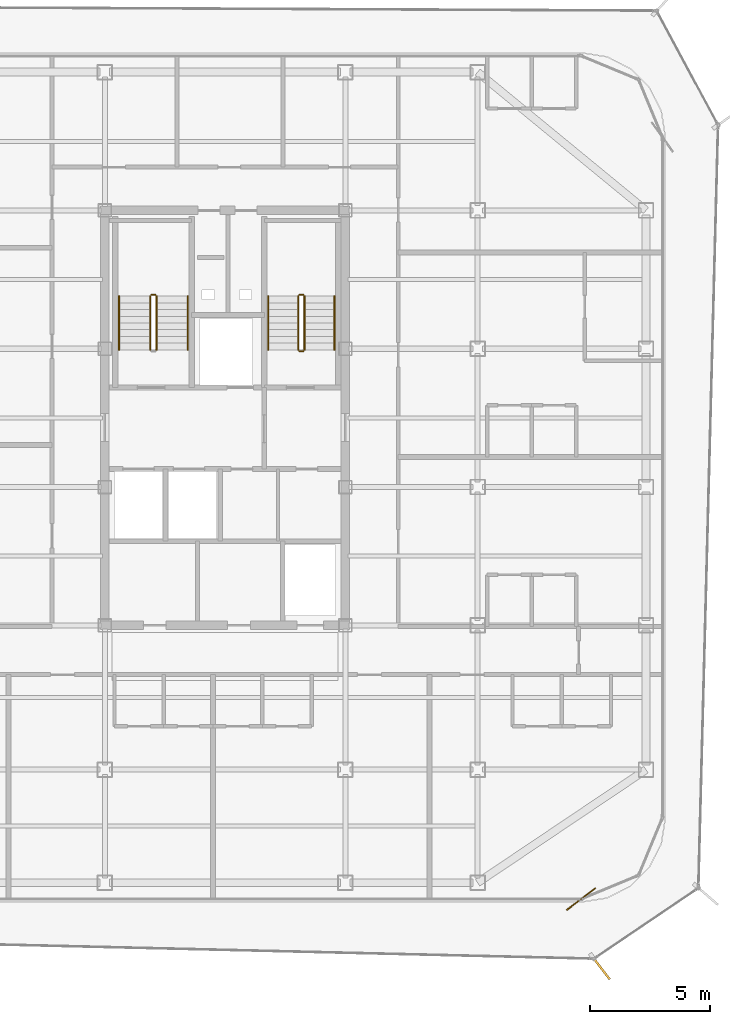
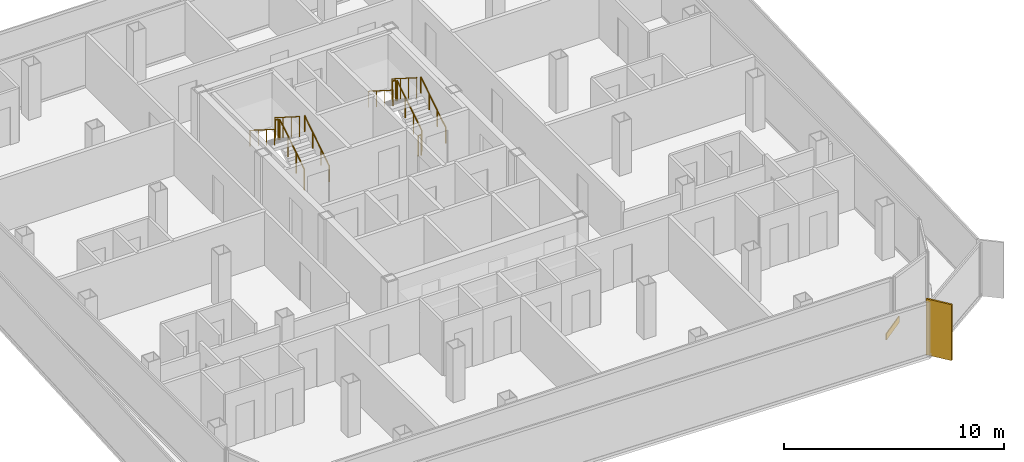
# One storey, part 15 of 16: 11 railings, 1 covering, 1 shading device.
"""IFC4 building model written with IfcOpenShell, lengths in metres."""

from ifc_helpers import new_model, si_unit, direction, frame, origin, origin_2d, place, context, subcontext, project, spatial, rectangle, circle, extrude, source, transform, mapped, material, layer, layer_set, type_object, element, save


model = new_model("IFC4")

# Units and contexts
model_context = context("Model", 3, precision=1e-05, world=origin(), true_north=direction((0.0, 1.0)))
body_context = subcontext(model_context, "Body", "Model", "MODEL_VIEW")
ifc_project = project(units=[si_unit("LENGTHUNIT", "METRE"), si_unit("AREAUNIT", "SQUARE_METRE"), si_unit("VOLUMEUNIT", "CUBIC_METRE"), si_unit("PLANEANGLEUNIT", "RADIAN"), si_unit("MASSUNIT", "GRAM", prefix="KILO")], contexts=[model_context])

# Site, building, storey
site_placement = place(None, origin())
site = spatial("IfcSite", under=ifc_project, at=site_placement, CompositionType="ELEMENT")
building_placement = place(site_placement, origin())
building = spatial("IfcBuilding", under=site, at=building_placement, Name="Kolveth Station Tower", CompositionType="ELEMENT")
storey_placement = place(building_placement, frame((0.0, 0.0, 236.10009765625)))
storey = spatial("IfcBuildingStorey", under=building, at=storey_placement, Name="L67", CompositionType="ELEMENT", Elevation=236.10009765625)

# Railings
ifc_material_1 = material(Name="Painted Steel S355 balustrade", Category="steel")
railing_type_1 = type_object("IfcRailingType", Name="Guard_GR2", PredefinedType="BALUSTRADE", material=ifc_material_1)
railing_1_placement = place(storey_placement, frame((20.64990234375, 22.949951171875, 0.177734375)))
element("IfcRailing", 1, at=railing_1_placement, inside=storey, type_object=railing_type_1, Name="L67 ST1 stair guard 1", PredefinedType="BALUSTRADE", context=body_context, shape_type="SweptSolid", body=[
    extrude(circle(Radius=0.02392578125, at=origin_2d()), frame((0.0, 0.0, 1.1259765625), z_axis=(0.0, 0.8442293374, 0.53598211339), x_axis=(-1.0, 0.0, 0.0)), (0.0, 0.0, 1.0), 2.6533203125),
    extrude(circle(Radius=0.02099609375, at=origin_2d()), origin(), (0.0, 0.0, 1.0), 1.101806640625),
    extrude(circle(Radius=0.02099609375, at=origin_2d()), frame((0.0, 0.74658203125, 0.47412109375)), (0.0, 0.0, 1.0), 1.101806640625),
    extrude(circle(Radius=0.02099609375, at=origin_2d()), frame((0.0, 1.493408203125, 0.947998046875)), (0.0, 0.0, 1.0), 1.101806640625),
    extrude(circle(Radius=0.02099609375, at=origin_2d()), frame((0.0, 2.239990234375, 1.422119140625)), (0.0, 0.0, 1.0), 1.101806640625),
])
railing_2_placement = place(storey_placement, frame((20.60009765625, 25.239990234375, 1.599853515625)))
element("IfcRailing", 2, at=railing_2_placement, inside=storey, type_object=railing_type_1, Name="L67 ST1 stair guard 2", PredefinedType="BALUSTRADE", context=body_context, shape_type="SweptSolid", body=[
    extrude(circle(Radius=0.02392578125, at=origin_2d()), frame((0.0, 0.0, 1.1259765625), z_axis=(-1.0, 0.0, 0.0), x_axis=(0.0, -1.0, 0.0)), (0.0, 0.0, 1.0), 0.16015625),
    extrude(circle(Radius=0.02099609375, at=origin_2d()), origin(), (0.0, 0.0, 1.0), 1.101806640625),
    extrude(circle(Radius=0.02099609375, at=origin_2d()), frame((-0.16015625, 0.0, 0.0)), (0.0, 0.0, 1.0), 1.101806640625),
])
railing_3_placement = place(storey_placement, frame((20.389892578125, 25.18994140625, 1.777587890625)))
element("IfcRailing", 3, at=railing_3_placement, inside=storey, type_object=railing_type_1, Name="L67 ST1 stair guard 3", PredefinedType="BALUSTRADE", context=body_context, shape_type="SweptSolid", body=[
    extrude(circle(Radius=0.02392578125, at=origin_2d()), frame((0.0, 0.0, 1.1259765625), z_axis=(0.0, -0.84418770128, 0.536047689118), x_axis=(1.0, 0.0, 0.0)), (0.0, 0.0, 1.0), 2.6533203125),
    extrude(circle(Radius=0.02099609375, at=origin_2d()), origin(), (0.0, 0.0, 1.0), 1.101806640625),
    extrude(circle(Radius=0.02099609375, at=origin_2d()), frame((0.0, -0.74658203125, 0.47412109375)), (0.0, 0.0, 1.0), 1.101806640625),
    extrude(circle(Radius=0.02099609375, at=origin_2d()), frame((0.0, -1.493408203125, 0.9482421875)), (0.0, 0.0, 1.0), 1.101806640625),
    extrude(circle(Radius=0.02099609375, at=origin_2d()), frame((0.0, -2.239990234375, 1.42236328125)), (0.0, 0.0, 1.0), 1.101806640625),
])
railing_4_placement = place(storey_placement, frame((26.800048828125, 22.949951171875, 0.177734375)))
element("IfcRailing", 4, at=railing_4_placement, inside=storey, type_object=railing_type_1, Name="L67 ST2 stair guard 1", PredefinedType="BALUSTRADE", context=body_context, shape_type="SweptSolid", body=[
    extrude(circle(Radius=0.02392578125, at=origin_2d()), frame((0.0, 0.0, 1.1259765625), z_axis=(0.0, 0.8442293374, 0.53598211339), x_axis=(-1.0, 0.0, 0.0)), (0.0, 0.0, 1.0), 2.6533203125),
    extrude(circle(Radius=0.02099609375, at=origin_2d()), origin(), (0.0, 0.0, 1.0), 1.101806640625),
    extrude(circle(Radius=0.02099609375, at=origin_2d()), frame((0.0, 0.74658203125, 0.47412109375)), (0.0, 0.0, 1.0), 1.101806640625),
    extrude(circle(Radius=0.02099609375, at=origin_2d()), frame((0.0, 1.493408203125, 0.947998046875)), (0.0, 0.0, 1.0), 1.101806640625),
    extrude(circle(Radius=0.02099609375, at=origin_2d()), frame((0.0, 2.239990234375, 1.422119140625)), (0.0, 0.0, 1.0), 1.101806640625),
])
railing_5_placement = place(storey_placement, frame((26.75, 25.239990234375, 1.599853515625)))
element("IfcRailing", 5, at=railing_5_placement, inside=storey, type_object=railing_type_1, Name="L67 ST2 stair guard 2", PredefinedType="BALUSTRADE", context=body_context, shape_type="SweptSolid", body=[
    extrude(circle(Radius=0.02392578125, at=origin_2d()), frame((0.0, 0.0, 1.1259765625), z_axis=(-1.0, 0.0, 0.0), x_axis=(0.0, -1.0, 0.0)), (0.0, 0.0, 1.0), 0.159912109375),
    extrude(circle(Radius=0.02099609375, at=origin_2d()), origin(), (0.0, 0.0, 1.0), 1.101806640625),
    extrude(circle(Radius=0.02099609375, at=origin_2d()), frame((-0.159912109375, 0.0, 0.0)), (0.0, 0.0, 1.0), 1.101806640625),
])
railing_6_placement = place(storey_placement, frame((26.5400390625, 25.18994140625, 1.777587890625)))
element("IfcRailing", 6, at=railing_6_placement, inside=storey, type_object=railing_type_1, Name="L67 ST2 stair guard 3", PredefinedType="BALUSTRADE", context=body_context, shape_type="SweptSolid", body=[
    extrude(circle(Radius=0.02392578125, at=origin_2d()), frame((0.0, 0.0, 1.1259765625), z_axis=(0.0, -0.84418770128, 0.536047689118), x_axis=(1.0, 0.0, 0.0)), (0.0, 0.0, 1.0), 2.6533203125),
    extrude(circle(Radius=0.02099609375, at=origin_2d()), origin(), (0.0, 0.0, 1.0), 1.101806640625),
    extrude(circle(Radius=0.02099609375, at=origin_2d()), frame((0.0, -0.74658203125, 0.47412109375)), (0.0, 0.0, 1.0), 1.101806640625),
    extrude(circle(Radius=0.02099609375, at=origin_2d()), frame((0.0, -1.493408203125, 0.9482421875)), (0.0, 0.0, 1.0), 1.101806640625),
    extrude(circle(Radius=0.02099609375, at=origin_2d()), frame((0.0, -2.239990234375, 1.42236328125)), (0.0, 0.0, 1.0), 1.101806640625),
])
railing_7_placement = place(storey_placement, frame((26.75, 22.89990234375, 0.0)))
element("IfcRailing", 7, at=railing_7_placement, inside=storey, type_object=railing_type_1, Name="L67 ST2 stair guard 4", PredefinedType="BALUSTRADE", context=body_context, shape_type="SweptSolid", body=[
    extrude(circle(Radius=0.02392578125, at=origin_2d()), frame((0.0, 0.0, 1.1259765625), z_axis=(-1.0, 0.0, 0.0), x_axis=(0.0, -1.0, 0.0)), (0.0, 0.0, 1.0), 0.159912109375),
    extrude(circle(Radius=0.02099609375, at=origin_2d()), origin(), (0.0, 0.0, 1.0), 1.101806640625),
    extrude(circle(Radius=0.02099609375, at=origin_2d()), frame((-0.159912109375, 0.0, 0.0)), (0.0, 0.0, 1.0), 1.101806640625),
])
ifc_material_2 = material(Name="Brushed stainless steel", Category="steel")
railing_type_2 = type_object("IfcRailingType", Name="Handrail_HR1", PredefinedType="HANDRAIL", material=ifc_material_2)
railing_8_placement = place(storey_placement, frame((21.949951171875, 22.949951171875, 0.177734375)))
element("IfcRailing", 8, at=railing_8_placement, inside=storey, type_object=railing_type_2, Name="L67 ST1 stair handrail 1", PredefinedType="HANDRAIL", context=body_context, shape_type="SweptSolid", body=[
    extrude(circle(Radius=0.02392578125, at=origin_2d()), frame((0.0, 0.0, 0.8759765625), z_axis=(0.0, 0.8442293374, 0.53598211339), x_axis=(-1.0, 0.0, 0.0)), (0.0, 0.0, 1.0), 2.6533203125),
    extrude(circle(Radius=0.02099609375, at=origin_2d()), origin(), (0.0, 0.0, 1.0), 0.851806640625),
    extrude(circle(Radius=0.02099609375, at=origin_2d()), frame((0.0, 0.74658203125, 0.47412109375)), (0.0, 0.0, 1.0), 0.851806640625),
    extrude(circle(Radius=0.02099609375, at=origin_2d()), frame((0.0, 1.493408203125, 0.947998046875)), (0.0, 0.0, 1.0), 0.851806640625),
    extrude(circle(Radius=0.02099609375, at=origin_2d()), frame((0.0, 2.239990234375, 1.422119140625)), (0.0, 0.0, 1.0), 0.851806640625),
])
railing_9_placement = place(storey_placement, frame((19.090087890625, 25.18994140625, 1.777587890625)))
element("IfcRailing", 9, at=railing_9_placement, inside=storey, type_object=railing_type_2, Name="L67 ST1 stair handrail 2", PredefinedType="HANDRAIL", context=body_context, shape_type="SweptSolid", body=[
    extrude(circle(Radius=0.02392578125, at=origin_2d()), frame((0.0, 0.0, 0.8759765625), z_axis=(0.0, -0.84418770128, 0.536047689118), x_axis=(1.0, 0.0, 0.0)), (0.0, 0.0, 1.0), 2.6533203125),
    extrude(circle(Radius=0.02099609375, at=origin_2d()), origin(), (0.0, 0.0, 1.0), 0.851806640625),
    extrude(circle(Radius=0.02099609375, at=origin_2d()), frame((0.0, -0.74658203125, 0.47412109375)), (0.0, 0.0, 1.0), 0.851806640625),
    extrude(circle(Radius=0.02099609375, at=origin_2d()), frame((0.0, -1.493408203125, 0.9482421875)), (0.0, 0.0, 1.0), 0.851806640625),
    extrude(circle(Radius=0.02099609375, at=origin_2d()), frame((0.0, -2.239990234375, 1.42236328125)), (0.0, 0.0, 1.0), 0.851806640625),
])
railing_10_placement = place(storey_placement, frame((28.050048828125, 22.949951171875, 0.177734375)))
element("IfcRailing", 10, at=railing_10_placement, inside=storey, type_object=railing_type_2, Name="L67 ST2 stair handrail 1", PredefinedType="HANDRAIL", context=body_context, shape_type="SweptSolid", body=[
    extrude(circle(Radius=0.02392578125, at=origin_2d()), frame((0.0, 0.0, 0.8759765625), z_axis=(0.0, 0.8442293374, 0.53598211339), x_axis=(-1.0, 0.0, 0.0)), (0.0, 0.0, 1.0), 2.6533203125),
    extrude(circle(Radius=0.02099609375, at=origin_2d()), origin(), (0.0, 0.0, 1.0), 0.851806640625),
    extrude(circle(Radius=0.02099609375, at=origin_2d()), frame((0.0, 0.74658203125, 0.47412109375)), (0.0, 0.0, 1.0), 0.851806640625),
    extrude(circle(Radius=0.02099609375, at=origin_2d()), frame((0.0, 1.493408203125, 0.947998046875)), (0.0, 0.0, 1.0), 0.851806640625),
    extrude(circle(Radius=0.02099609375, at=origin_2d()), frame((0.0, 2.239990234375, 1.422119140625)), (0.0, 0.0, 1.0), 0.851806640625),
])
railing_11_placement = place(storey_placement, frame((25.2900390625, 25.18994140625, 1.777587890625)))
element("IfcRailing", 11, at=railing_11_placement, inside=storey, type_object=railing_type_2, Name="L67 ST2 stair handrail 2", PredefinedType="HANDRAIL", context=body_context, shape_type="SweptSolid", body=[
    extrude(circle(Radius=0.02392578125, at=origin_2d()), frame((0.0, 0.0, 0.8759765625), z_axis=(0.0, -0.84418770128, 0.536047689118), x_axis=(1.0, 0.0, 0.0)), (0.0, 0.0, 1.0), 2.6533203125),
    extrude(circle(Radius=0.02099609375, at=origin_2d()), origin(), (0.0, 0.0, 1.0), 0.851806640625),
    extrude(circle(Radius=0.02099609375, at=origin_2d()), frame((0.0, -0.74658203125, 0.47412109375)), (0.0, 0.0, 1.0), 0.851806640625),
    extrude(circle(Radius=0.02099609375, at=origin_2d()), frame((0.0, -1.493408203125, 0.9482421875)), (0.0, 0.0, 1.0), 0.851806640625),
    extrude(circle(Radius=0.02099609375, at=origin_2d()), frame((0.0, -2.239990234375, 1.42236328125)), (0.0, 0.0, 1.0), 0.851806640625),
])

# Shading device
ifc_material_3 = material(Name="Black anodized aluminium 6063-T6", Category="aluminium")
shading_device_type = type_object("IfcShadingDeviceType", Name="FIN_VF1", PredefinedType="USERDEFINED", material=ifc_material_3)
shared_shape_1 = source(origin(), body_context, "Body", "SweptSolid", [
    extrude(rectangle(XDim=1.25, YDim=0.090087890625, at=origin_2d()), origin(), (0.0, 0.0, 1.0), 3.10009765625),
])
shading_device_placement = place(storey_placement, frame((39.112060546875, -2.721923828125, -0.000244140625), z_axis=(0.0, 0.0, 1.0), x_axis=(0.608207415585, -0.793778142573, 0.0)))
element("IfcShadingDevice", 12, at=shading_device_placement, inside=storey, type_object=shading_device_type, Name="L67 Dark-Aluminium Solar Fin 1", ObjectType="FIN", PredefinedType="USERDEFINED", context=body_context, shape_type="MappedRepresentation", body=[
    mapped(shared_shape_1, transform((0.0, 0.0, 0.0), x_axis=(1.0, 0.0, 0.0), y_axis=(0.0, 1.0, 0.0), z_axis=(0.0, 0.0, 1.0), scale=1.0)),
])

# Covering
ifc_material_4 = material(Name="Charcoal anodized aluminium spandrel cladding", Category="aluminium")
ifc_layer = layer(ifc_material_4, 0.044921875)
ifc_layer_set = layer_set([ifc_layer], Name="Charcoal anodized aluminium spandrel cladding")
covering_type = type_object("IfcCoveringType", Name="Clad_CD1", PredefinedType="CLADDING", material=ifc_layer_set)
shared_shape_2 = source(origin(), body_context, "Body", "SweptSolid", [
    extrude(rectangle(XDim=1.5, YDim=0.044921875, at=origin_2d()), origin(), (0.0, 0.0, 1.0), 0.360107421875),
])
covering_placement = place(storey_placement, frame((38.300048828125, 0.1201171875, 0.0), z_axis=(0.0, 0.0, 1.0), x_axis=(0.793778142573, 0.608207415585, 0.0)))
element("IfcCovering", 13, at=covering_placement, inside=storey, type_object=covering_type, Name="L67 Spandrel Edge Cladding 1", PredefinedType="CLADDING", context=body_context, shape_type="MappedRepresentation", body=[
    mapped(shared_shape_2, transform((0.0, 0.0, 0.0), x_axis=(1.0, 0.0, 0.0), y_axis=(0.0, 1.0, 0.0), z_axis=(0.0, 0.0, 1.0), scale=1.0)),
])

save(model, "model.ifc")
